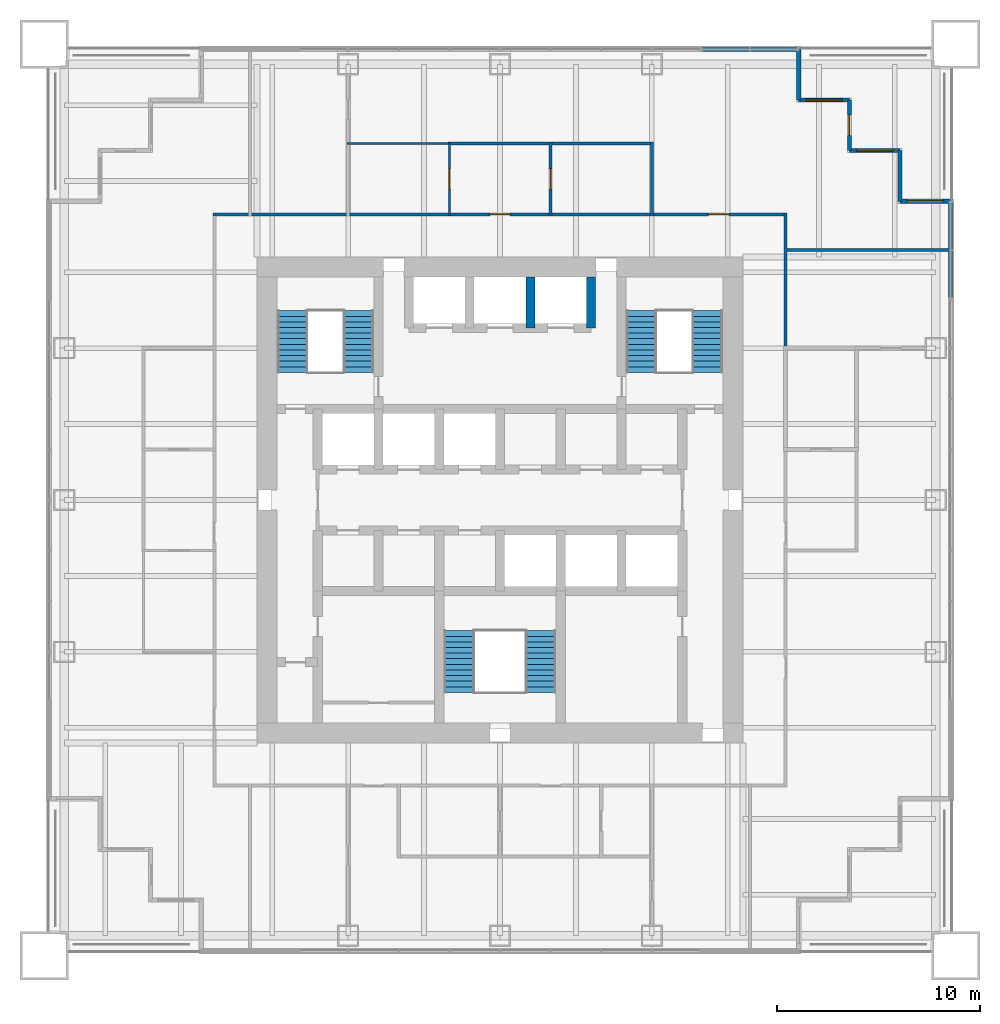
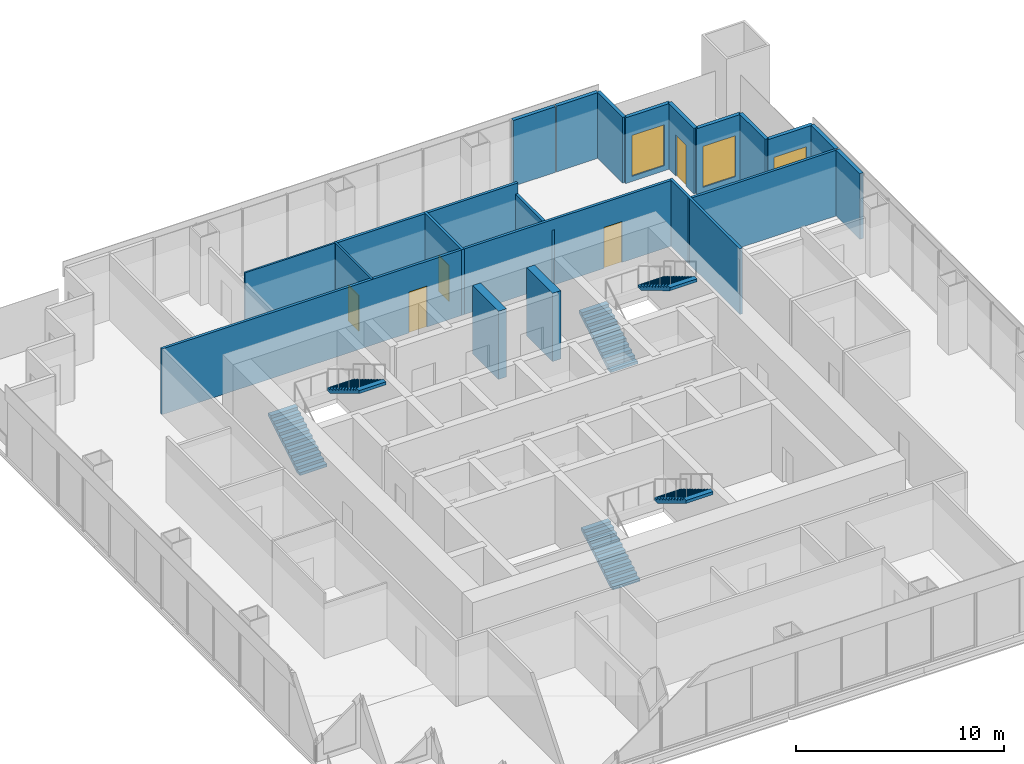
# One storey, part 11 of 13: 20 walls, 6 stair flights, 5 doors, 3 windows, 8 openings, 3 elements without a shape of their own.
"""IFC4 building model written with IfcOpenShell, lengths in metres."""

from ifc_helpers import new_model, si_unit, direction, frame, frame_2d, origin, place, context, subcontext, project, spatial, polyline, rectangle, outline, extrude, material, layer, layer_set, type_object, element, fill, aggregate, save


model = new_model("IFC4")

# Units and contexts
model_context = context("Model", 3, precision=1e-05, world=origin(), true_north=direction((0.0, 1.0)))
body_context = subcontext(model_context, "Body", "Model", "MODEL_VIEW")
ifc_project = project(units=[si_unit("LENGTHUNIT", "METRE"), si_unit("AREAUNIT", "SQUARE_METRE"), si_unit("VOLUMEUNIT", "CUBIC_METRE"), si_unit("PLANEANGLEUNIT", "RADIAN"), si_unit("MASSUNIT", "GRAM", prefix="KILO")], contexts=[model_context])

# Site, building, storey
site_placement = place(None, origin())
site = spatial("IfcSite", under=ifc_project, at=site_placement, CompositionType="ELEMENT")
building_placement = place(site_placement, origin())
building = spatial("IfcBuilding", under=site, at=building_placement, Name="Tarangal Relay Tower", CompositionType="ELEMENT")
storey_placement = place(building_placement, frame((0.0, 0.0, 205.89990234375)))
storey = spatial("IfcBuildingStorey", under=building, at=storey_placement, Name="L43", CompositionType="ELEMENT", Elevation=205.89990234375)

# Walls
ifc_material_1 = material(Name="Concrete fc' 60 MPa", Category="concrete")
ifc_layer_1 = layer(ifc_material_1, 0.449951171875)
ifc_layer_set_1 = layer_set([ifc_layer_1], Name="Core inner wall 450")
wall_type_1 = type_object("IfcWallType", Name="Core inner wall 450", PredefinedType="SHEAR", material=ifc_layer_set_1)
for number, where, z_axis, x_axis, name in (
    (1, (4.5, 8.5, 0.0), (0.0, 0.0, 1.0), (0.0, 1.0, 0.0), "Core wall X45 L43"),
    (2, (1.5, 8.5, 0.0), (0.0, 0.0, 1.0), (0.0, 1.0, 0.0), "Core wall X15 L43"),
):
    element("IfcWall", number, at=place(storey_placement, frame(where, z_axis=z_axis, x_axis=x_axis)), inside=storey, type_object=wall_type_1, Name=name, PredefinedType="SHEAR", context=body_context, shape_type="SweptSolid", body=[
        extrude(rectangle(XDim=2.5, YDim=0.449951171875, at=frame_2d((1.25, 0.0))), origin(), (0.0, 0.0, 1.0), 4.0),
    ])
ifc_material_2 = material(Name="Black metal clad insulated wall", Category="steel")
ifc_layer_2 = layer(ifc_material_2, 0.199951171875)
ifc_layer_set_2 = layer_set([ifc_layer_2], Name="Corner wall metal clad 200")
wall_type_2 = type_object("IfcWallType", Name="Corner wall metal clad 200", PredefinedType="SOLIDWALL", material=ifc_layer_set_2)
wall_1_placement = place(storey_placement, frame((14.75, 22.25, 0.0), z_axis=(0.0, 0.0, 1.0), x_axis=(0.0, -1.0, 0.0)))
element("IfcWall", 3, at=wall_1_placement, inside=storey, type_object=wall_type_2, Name="Facade wall N facade L43", PredefinedType="SOLIDWALL", context=body_context, shape_type="SweptSolid", body=[
    extrude(rectangle(XDim=2.5, YDim=0.199951171875, at=frame_2d((1.25, 0.0))), origin(), (0.0, 0.0, 1.0), 3.85009765625),
])

# Wall, opening, window
wall_2_placement = place(storey_placement, frame((14.75, 19.75, 0.0), z_axis=(0.0, 0.0, 1.0), x_axis=(1.0, 0.0, 0.0)))
wall_2 = element("IfcWall", 4, at=wall_2_placement, inside=storey, type_object=wall_type_2, Name="Facade wall N facade L43", PredefinedType="SOLIDWALL", context=body_context, shape_type="SweptSolid", body=[
    extrude(rectangle(XDim=2.5, YDim=0.199951171875, at=frame_2d((1.25, 0.0))), origin(), (0.0, 0.0, 1.0), 3.85009765625),
])
opening_1_placement = place(wall_2_placement, frame((0.35009765625, 0.0, 0.300048828125)))
opening_1 = element("IfcOpeningElement", 5, at=opening_1_placement, cuts=wall_2, Name="Opening WN2", PredefinedType="OPENING", context=body_context, shape_type="SweptSolid", body=[
    extrude(rectangle(XDim=1.800048828125, YDim=2.39990234375, at=frame_2d((0.89990234375, 1.199951171875))), frame((0.0, 0.10986328125, 0.0), z_axis=(0.0, -1.0, 0.0), x_axis=(1.0, 0.0, 0.0)), (0.0, 0.0, 1.0), 0.219970703125),
])
ifc_material_3 = material(Name="Dark tinted double glazing in black aluminium frame", Category="aluminium")
window_type = type_object("IfcWindowType", Name="Corner window 1800 x 2400", PartitioningType="SINGLE_PANEL", PredefinedType="WINDOW", material=ifc_material_3)
window_1_placement = place(opening_1_placement, origin())
window_1 = element("IfcWindow", 6, at=window_1_placement, inside=storey, type_object=window_type, Name="Corner window WN2 N facade L43", OverallHeight=2.39990234375, OverallWidth=1.800048828125, PartitioningType="SINGLE_PANEL", PredefinedType="WINDOW", context=body_context, shape_type="SweptSolid", body=[
    extrude(rectangle(XDim=1.800048828125, YDim=2.39990234375, at=frame_2d((0.89990234375, 1.199951171875))), frame((0.0, 0.030029296875, 0.0), z_axis=(0.0, -1.0, 0.0), x_axis=(1.0, 0.0, 0.0)), (0.0, 0.0, 1.0), 0.06005859375),
])
fill(opening_1, window_1)

# Wall, opening, door
wall_3_placement = place(storey_placement, frame((17.25, 19.75, 0.0), z_axis=(0.0, 0.0, 1.0), x_axis=(0.0, -1.0, 0.0)))
wall_3 = element("IfcWall", 7, at=wall_3_placement, inside=storey, type_object=wall_type_2, Name="Facade wall N facade L43", PredefinedType="SOLIDWALL", context=body_context, shape_type="SweptSolid", body=[
    extrude(rectangle(XDim=2.5, YDim=0.199951171875, at=frame_2d((1.25, 0.0))), origin(), (0.0, 0.0, 1.0), 3.85009765625),
])
opening_2_placement = place(wall_3_placement, frame((0.75, 0.0, 0.0)))
opening_2 = element("IfcOpeningElement", 8, at=opening_2_placement, cuts=wall_3, Name="Opening TD1", PredefinedType="OPENING", context=body_context, shape_type="SweptSolid", body=[
    extrude(rectangle(XDim=1.0, YDim=2.39990234375, at=frame_2d((0.5, 1.199951171875))), frame((0.0, 0.10986328125, 0.0), z_axis=(0.0, -1.0, 0.0), x_axis=(1.0, 0.0, 0.0)), (0.0, 0.0, 1.0), 0.219970703125),
])
ifc_material_4 = material(Name="Aluminium glazed door", Category="aluminium")
door_type_1 = type_object("IfcDoorType", Name="Terrace door 1000 x 2400", OperationType="SINGLE_SWING_RIGHT", PredefinedType="DOOR", material=ifc_material_4)
door_1_placement = place(opening_2_placement, origin())
door_1 = element("IfcDoor", 9, at=door_1_placement, inside=storey, type_object=door_type_1, Name="Terrace door TD1 NE L43", OperationType="SINGLE_SWING_RIGHT", OverallHeight=2.39990234375, OverallWidth=1.0, PredefinedType="DOOR", context=body_context, shape_type="SweptSolid", body=[
    extrude(rectangle(XDim=1.0, YDim=2.39990234375, at=frame_2d((0.5, 1.199951171875))), frame((0.0, 0.02490234375, 0.0), z_axis=(0.0, -1.0, 0.0), x_axis=(1.0, 0.0, 0.0)), (0.0, 0.0, 1.0), 0.050048828125),
])
fill(opening_2, door_1)

# Wall, opening, window
wall_4_placement = place(storey_placement, frame((17.25, 17.25, 0.0), z_axis=(0.0, 0.0, 1.0), x_axis=(1.0, 0.0, 0.0)))
wall_4 = element("IfcWall", 10, at=wall_4_placement, inside=storey, type_object=wall_type_2, Name="Facade wall N facade L43", PredefinedType="SOLIDWALL", context=body_context, shape_type="SweptSolid", body=[
    extrude(rectangle(XDim=2.5, YDim=0.199951171875, at=frame_2d((1.25, 0.0))), origin(), (0.0, 0.0, 1.0), 3.85009765625),
])
opening_3_placement = place(wall_4_placement, frame((0.35009765625, 0.0, 0.300048828125)))
opening_3 = element("IfcOpeningElement", 11, at=opening_3_placement, cuts=wall_4, Name="Opening WN2", PredefinedType="OPENING", context=body_context, shape_type="SweptSolid", body=[
    extrude(rectangle(XDim=1.800048828125, YDim=2.39990234375, at=frame_2d((0.89990234375, 1.199951171875))), frame((0.0, 0.10986328125, 0.0), z_axis=(0.0, -1.0, 0.0), x_axis=(1.0, 0.0, 0.0)), (0.0, 0.0, 1.0), 0.219970703125),
])
window_2_placement = place(opening_3_placement, origin())
window_2 = element("IfcWindow", 12, at=window_2_placement, inside=storey, type_object=window_type, Name="Corner window WN2 N facade L43", OverallHeight=2.39990234375, OverallWidth=1.800048828125, PartitioningType="SINGLE_PANEL", PredefinedType="WINDOW", context=body_context, shape_type="SweptSolid", body=[
    extrude(rectangle(XDim=1.800048828125, YDim=2.39990234375, at=frame_2d((0.89990234375, 1.199951171875))), frame((0.0, 0.030029296875, 0.0), z_axis=(0.0, -1.0, 0.0), x_axis=(1.0, 0.0, 0.0)), (0.0, 0.0, 1.0), 0.06005859375),
])
fill(opening_3, window_2)

# Wall
wall_5_placement = place(storey_placement, frame((19.75, 17.25, 0.0), z_axis=(0.0, 0.0, 1.0), x_axis=(0.0, -1.0, 0.0)))
element("IfcWall", 13, at=wall_5_placement, inside=storey, type_object=wall_type_2, Name="Facade wall N facade L43", PredefinedType="SOLIDWALL", context=body_context, shape_type="SweptSolid", body=[
    extrude(rectangle(XDim=2.5, YDim=0.199951171875, at=frame_2d((1.25, 0.0))), origin(), (0.0, 0.0, 1.0), 3.85009765625),
])

# Wall, opening, window
wall_6_placement = place(storey_placement, frame((19.75, 14.75, 0.0), z_axis=(0.0, 0.0, 1.0), x_axis=(1.0, 0.0, 0.0)))
wall_6 = element("IfcWall", 14, at=wall_6_placement, inside=storey, type_object=wall_type_2, Name="Facade wall N facade L43", PredefinedType="SOLIDWALL", context=body_context, shape_type="SweptSolid", body=[
    extrude(rectangle(XDim=2.5, YDim=0.199951171875, at=frame_2d((1.25, 0.0))), origin(), (0.0, 0.0, 1.0), 3.85009765625),
])
opening_4_placement = place(wall_6_placement, frame((0.35009765625, 0.0, 0.300048828125)))
opening_4 = element("IfcOpeningElement", 15, at=opening_4_placement, cuts=wall_6, Name="Opening WN2", PredefinedType="OPENING", context=body_context, shape_type="SweptSolid", body=[
    extrude(rectangle(XDim=1.800048828125, YDim=2.39990234375, at=frame_2d((0.89990234375, 1.199951171875))), frame((0.0, 0.10986328125, 0.0), z_axis=(0.0, -1.0, 0.0), x_axis=(1.0, 0.0, 0.0)), (0.0, 0.0, 1.0), 0.219970703125),
])
window_3_placement = place(opening_4_placement, origin())
window_3 = element("IfcWindow", 16, at=window_3_placement, inside=storey, type_object=window_type, Name="Corner window WN2 N facade L43", OverallHeight=2.39990234375, OverallWidth=1.800048828125, PartitioningType="SINGLE_PANEL", PredefinedType="WINDOW", context=body_context, shape_type="SweptSolid", body=[
    extrude(rectangle(XDim=1.800048828125, YDim=2.39990234375, at=frame_2d((0.89990234375, 1.199951171875))), frame((0.0, 0.030029296875, 0.0), z_axis=(0.0, -1.0, 0.0), x_axis=(1.0, 0.0, 0.0)), (0.0, 0.0, 1.0), 0.06005859375),
])
fill(opening_4, window_3)

# Walls
ifc_layer_3 = layer(ifc_material_2, 0.199951171875)
ifc_layer_set_3 = layer_set([ifc_layer_3], Name="Facade infill wall metal clad 200")
wall_type_3 = type_object("IfcWallType", Name="Facade infill wall metal clad 200", PredefinedType="SOLIDWALL", material=ifc_layer_set_3)
for number, where, z_axis, x_axis, name in (
    (17, (9.981689453125, 22.25, 0.0), (0.0, 0.0, 1.0), (1.0, 0.0, 0.0), "Facade infill wall N facade L43 1.1"),
    (18, (12.365966796875, 22.25, 0.0), (0.0, 0.0, 1.0), (1.0, 0.0, 0.0), "Facade infill wall N facade L43 2.1"),
    (19, (22.25, 14.68505859375, 0.0), (0.0, 0.0, 1.0), (0.0, -1.0, 0.0), "Facade infill wall E facade L43 1.1"),
    (20, (22.25, 12.30078125, 0.0), (0.0, 0.0, 1.0), (0.0, -1.0, 0.0), "Facade infill wall E facade L43 2.1"),
):
    element("IfcWall", number, at=place(storey_placement, frame(where, z_axis=z_axis, x_axis=x_axis)), inside=storey, type_object=wall_type_3, Name=name, PredefinedType="SOLIDWALL", context=body_context, shape_type="SweptSolid", body=[
        extrude(rectangle(XDim=2.319091796875, YDim=0.199951171875, at=frame_2d((1.15966796875, 0.0))), origin(), (0.0, 0.0, 1.0), 3.85009765625),
    ])
ifc_material_5 = material(Name="Double glazed aluminium framed partition", Category="aluminium")
ifc_layer_4 = layer(ifc_material_5, 0.10009765625)
ifc_layer_set_4 = layer_set([ifc_layer_4], Name="Glazed partition 100")
wall_type_4 = type_object("IfcWallType", Name="Glazed partition 100", PredefinedType="PARTITIONING", material=ifc_layer_set_4)
wall_7_placement = place(storey_placement, frame((-7.550048828125, 17.60009765625, 0.0), z_axis=(0.0, 0.0, 1.0), x_axis=(1.0, 0.0, 0.0)))
element("IfcWall", 21, at=wall_7_placement, inside=storey, type_object=wall_type_4, Name="Partition PT3 L43", PredefinedType="PARTITIONING", context=body_context, shape_type="SweptSolid", body=[
    extrude(rectangle(XDim=5.10009765625, YDim=0.10009765625, at=frame_2d((2.550048828125, 0.0))), origin(), (0.0, 0.0, 1.0), 3.85009765625),
])

# Wall, opening, door
wall_8_placement = place(storey_placement, frame((-2.5, 14.050048828125, 0.0), z_axis=(0.0, 0.0, 1.0), x_axis=(0.0, 1.0, 0.0)))
wall_8 = element("IfcWall", 22, at=wall_8_placement, inside=storey, type_object=wall_type_4, Name="Partition PT3 L43", PredefinedType="PARTITIONING", context=body_context, shape_type="SweptSolid", body=[
    extrude(rectangle(XDim=3.599853515625, YDim=0.10009765625, at=frame_2d((1.7998046875, 0.0))), origin(), (0.0, 0.0, 1.0), 3.85009765625),
])
opening_5_placement = place(wall_8_placement, frame((1.300048828125, 0.0, 0.0)))
opening_5 = element("IfcOpeningElement", 23, at=opening_5_placement, cuts=wall_8, Name="Opening D3", PredefinedType="OPENING", context=body_context, shape_type="SweptSolid", body=[
    extrude(rectangle(XDim=1.0, YDim=2.10009765625, at=frame_2d((0.5, 1.050048828125))), frame((0.0, 0.06005859375, 0.0), z_axis=(0.0, -1.0, 0.0), x_axis=(1.0, 0.0, 0.0)), (0.0, 0.0, 1.0), 0.1201171875),
])
ifc_material_6 = material(Name="Frameless glass door", Category="glass")
door_type_2 = type_object("IfcDoorType", Name="Glazed door 1000 x 2100", OperationType="SINGLE_SWING_LEFT", PredefinedType="DOOR", material=ifc_material_6)
door_2_placement = place(opening_5_placement, origin())
door_2 = element("IfcDoor", 24, at=door_2_placement, inside=storey, type_object=door_type_2, Name="Door D3 to meeting room L43-03", OperationType="SINGLE_SWING_LEFT", OverallHeight=2.10009765625, OverallWidth=1.0, PredefinedType="DOOR", context=body_context, shape_type="SweptSolid", body=[
    extrude(rectangle(XDim=1.0, YDim=2.10009765625, at=frame_2d((0.5, 1.050048828125))), frame((0.0, 0.02490234375, 0.0), z_axis=(0.0, -1.0, 0.0), x_axis=(1.0, 0.0, 0.0)), (0.0, 0.0, 1.0), 0.050048828125),
])
fill(opening_5, door_2)

# Wall
ifc_material_7 = material(Name="Gypsum board on steel studs", Category="steel")
ifc_layer_5 = layer(ifc_material_7, 0.14990234375)
ifc_layer_set_5 = layer_set([ifc_layer_5], Name="Partition 150")
wall_type_5 = type_object("IfcWallType", Name="Partition 150", PredefinedType="PARTITIONING", material=ifc_layer_set_5)
wall_9_placement = place(storey_placement, frame((14.02490234375, 12.3330078125, 0.0), z_axis=(0.0, 0.0, 1.0), x_axis=(1.0, 0.0, 0.0)))
element("IfcWall", 25, at=wall_9_placement, inside=storey, type_object=wall_type_5, Name="Partition PT1 L43", PredefinedType="PARTITIONING", context=body_context, shape_type="SweptSolid", body=[
    extrude(rectangle(XDim=8.125, YDim=0.14990234375, at=frame_2d((4.0625, 0.0))), origin(), (0.0, 0.0, 1.0), 3.85009765625),
])

# Wall, openings, doors
wall_10_placement = place(storey_placement, frame((-14.175048828125, 14.10009765625, 0.0), z_axis=(0.0, 0.0, 1.0), x_axis=(1.0, 0.0, 0.0)))
wall_10 = element("IfcWall", 26, at=wall_10_placement, inside=storey, type_object=wall_type_5, Name="Partition PT1 L43", PredefinedType="PARTITIONING", context=body_context, shape_type="SweptSolid", body=[
    extrude(rectangle(XDim=28.35009765625, YDim=0.14990234375, at=frame_2d((14.175048828125, 0.0))), origin(), (0.0, 0.0, 1.0), 3.85009765625),
])
opening_6_placement = place(wall_10_placement, frame((13.675048828125, 0.0, 0.0)))
opening_6 = element("IfcOpeningElement", 27, at=opening_6_placement, cuts=wall_10, Name="Opening SD1", PredefinedType="OPENING", context=body_context, shape_type="SweptSolid", body=[
    extrude(rectangle(XDim=1.0, YDim=2.39990234375, at=frame_2d((0.5, 1.199951171875))), frame((0.0, 0.0849609375, 0.0), z_axis=(0.0, -1.0, 0.0), x_axis=(1.0, 0.0, 0.0)), (0.0, 0.0, 1.0), 0.169921875),
])
opening_7_placement = place(wall_10_placement, frame((24.47509765625, 0.0, 0.0)))
opening_7 = element("IfcOpeningElement", 28, at=opening_7_placement, cuts=wall_10, Name="Opening SD1", PredefinedType="OPENING", context=body_context, shape_type="SweptSolid", body=[
    extrude(rectangle(XDim=1.0, YDim=2.39990234375, at=frame_2d((0.5, 1.199951171875))), frame((0.0, 0.0849609375, 0.0), z_axis=(0.0, -1.0, 0.0), x_axis=(1.0, 0.0, 0.0)), (0.0, 0.0, 1.0), 0.169921875),
])
ifc_material_8 = material(Name="Steel door with hardwood frame", Category="steel")
door_type_3 = type_object("IfcDoorType", Name="Suite entrance door 1000 x 2400", OperationType="SINGLE_SWING_RIGHT", PredefinedType="DOOR", material=ifc_material_8)
door_3_placement = place(opening_6_placement, origin())
door_3 = element("IfcDoor", 29, at=door_3_placement, inside=storey, type_object=door_type_3, Name="Door SD1 to reception L43-04", OperationType="SINGLE_SWING_RIGHT", OverallHeight=2.39990234375, OverallWidth=1.0, PredefinedType="DOOR", context=body_context, shape_type="SweptSolid", body=[
    extrude(rectangle(XDim=1.0, YDim=2.39990234375, at=frame_2d((0.5, 1.199951171875))), frame((0.0, 0.02490234375, 0.0), z_axis=(0.0, -1.0, 0.0), x_axis=(1.0, 0.0, 0.0)), (0.0, 0.0, 1.0), 0.050048828125),
])
fill(opening_6, door_3)
door_4_placement = place(opening_7_placement, origin())
door_4 = element("IfcDoor", 30, at=door_4_placement, inside=storey, type_object=door_type_3, Name="Door SD1 to open plan office L43-18", OperationType="SINGLE_SWING_RIGHT", OverallHeight=2.39990234375, OverallWidth=1.0, PredefinedType="DOOR", context=body_context, shape_type="SweptSolid", body=[
    extrude(rectangle(XDim=1.0, YDim=2.39990234375, at=frame_2d((0.5, 1.199951171875))), frame((0.0, 0.02490234375, 0.0), z_axis=(0.0, -1.0, 0.0), x_axis=(1.0, 0.0, 0.0)), (0.0, 0.0, 1.0), 0.050048828125),
])
fill(opening_7, door_4)

# Wall
wall_11_placement = place(storey_placement, frame((-2.574951171875, 17.60009765625, 0.0), z_axis=(0.0, 0.0, 1.0), x_axis=(1.0, 0.0, 0.0)))
element("IfcWall", 31, at=wall_11_placement, inside=storey, type_object=wall_type_5, Name="Partition PT1 L43", PredefinedType="PARTITIONING", context=body_context, shape_type="SweptSolid", body=[
    extrude(rectangle(XDim=10.14990234375, YDim=0.14990234375, at=frame_2d((5.074951171875, 0.0))), origin(), (0.0, 0.0, 1.0), 3.85009765625),
])

# Wall, opening, door
wall_12_placement = place(storey_placement, frame((2.5, 14.02490234375, 0.0), z_axis=(0.0, 0.0, 1.0), x_axis=(0.0, 1.0, 0.0)))
wall_12 = element("IfcWall", 32, at=wall_12_placement, inside=storey, type_object=wall_type_5, Name="Partition PT1 L43", PredefinedType="PARTITIONING", context=body_context, shape_type="SweptSolid", body=[
    extrude(rectangle(XDim=3.650146484375, YDim=0.14990234375, at=frame_2d((1.8251953125, 0.0))), origin(), (0.0, 0.0, 1.0), 3.85009765625),
])
opening_8_placement = place(wall_12_placement, frame((1.324951171875, 0.0, 0.0)))
opening_8 = element("IfcOpeningElement", 33, at=opening_8_placement, cuts=wall_12, Name="Opening D2", PredefinedType="OPENING", context=body_context, shape_type="SweptSolid", body=[
    extrude(rectangle(XDim=1.0, YDim=2.10009765625, at=frame_2d((0.5, 1.050048828125))), frame((0.0, 0.0849609375, 0.0), z_axis=(0.0, -1.0, 0.0), x_axis=(1.0, 0.0, 0.0)), (0.0, 0.0, 1.0), 0.169921875),
])
ifc_material_9 = material(Name="Hardwood door", Category="wood")
door_type_4 = type_object("IfcDoorType", Name="Door 1000 x 2100", OperationType="SINGLE_SWING_LEFT", PredefinedType="DOOR", material=ifc_material_9)
door_5_placement = place(opening_8_placement, origin())
door_5 = element("IfcDoor", 34, at=door_5_placement, inside=storey, type_object=door_type_4, Name="Door D2 to tea pantry L43-05", OperationType="SINGLE_SWING_LEFT", OverallHeight=2.10009765625, OverallWidth=1.0, PredefinedType="DOOR", context=body_context, shape_type="SweptSolid", body=[
    extrude(rectangle(XDim=1.0, YDim=2.10009765625, at=frame_2d((0.5, 1.050048828125))), frame((0.0, 0.02490234375, 0.0), z_axis=(0.0, -1.0, 0.0), x_axis=(1.0, 0.0, 0.0)), (0.0, 0.0, 1.0), 0.050048828125),
])
fill(opening_8, door_5)

# Walls
wall_13_placement = place(storey_placement, frame((7.5, 14.02490234375, 0.0), z_axis=(0.0, 0.0, 1.0), x_axis=(0.0, 1.0, 0.0)))
element("IfcWall", 35, at=wall_13_placement, inside=storey, type_object=wall_type_5, Name="Partition PT1 L43", PredefinedType="PARTITIONING", context=body_context, shape_type="SweptSolid", body=[
    extrude(rectangle(XDim=3.650146484375, YDim=0.14990234375, at=frame_2d((1.8251953125, 0.0))), origin(), (0.0, 0.0, 1.0), 3.238037109375),
])
wall_14_placement = place(storey_placement, frame((14.10009765625, 7.425048828125, 0.0), z_axis=(0.0, 0.0, 1.0), x_axis=(0.0, 1.0, 0.0)))
element("IfcWall", 36, at=wall_14_placement, inside=storey, type_object=wall_type_5, Name="Partition PT1 L43", PredefinedType="PARTITIONING", context=body_context, shape_type="SweptSolid", body=[
    extrude(rectangle(XDim=6.75, YDim=0.14990234375, at=frame_2d((3.375, 0.0))), origin(), (0.0, 0.0, 1.0), 3.85009765625),
])

# Stair, stair flights
ifc_material_10 = material(Name="Steel ASTM A992 stair flight", Category="steel")
stair_type = type_object("IfcStairType", Name="Core stair 1500", PredefinedType="HALF_TURN_STAIR", material=ifc_material_10)
stair_1_placement = place(storey_placement, origin())
stair_1 = element("IfcStair", 37, at=stair_1_placement, inside=storey, type_object=stair_type, Name="Stair ST-A L43", PredefinedType="HALF_TURN_STAIR")
stair_flight_type = type_object("IfcStairFlightType", Name="Steel stair flight 1500, 12 risers 167 x 277", PredefinedType="STRAIGHT", material=ifc_material_10)
stair_flight_1_placement = place(storey_placement, frame((-10.25, 6.300048828125, 0.0), z_axis=(0.0, 0.0, 1.0), x_axis=(0.0, 1.0, 0.0)))
stair_flight_1 = element("IfcStairFlight", 38, at=stair_flight_1_placement, type_object=stair_flight_type, Name="ST-A flight 1", NumberOfRisers=12, NumberOfTreads=11, PredefinedType="STRAIGHT", RiserHeight=0.166666667, TreadLength=0.277, context=body_context, shape_type="SweptSolid", body=[
    extrude(outline(polyline([(0.0, 0.0), (0.0, 0.166748046875), (0.277099609375, 0.166748046875), (0.277099609375, 0.333251953125), (0.553955078125, 0.333251953125), (0.553955078125, 0.5), (0.8310546875, 0.5), (0.8310546875, 0.666748046875), (1.10791015625, 0.666748046875), (1.10791015625, 0.833251953125), (1.385009765625, 0.833251953125), (1.385009765625, 1.0), (1.662109375, 1.0), (1.662109375, 1.166748046875), (1.93896484375, 1.166748046875), (1.93896484375, 1.333251953125), (2.216064453125, 1.333251953125), (2.216064453125, 1.5), (2.492919921875, 1.5), (2.492919921875, 1.666748046875), (2.77001953125, 1.666748046875), (2.77001953125, 1.833251953125), (3.047119140625, 1.833251953125), (3.047119140625, 2.0), (3.047119140625, 1.658447265625), (0.290771484375, 0.0), (0.0, 0.0)])), frame((0.0, 0.75, 0.0), z_axis=(0.0, -1.0, 0.0), x_axis=(1.0, 0.0, 0.0)), (0.0, 0.0, 1.0), 1.5),
])
stair_flight_2_placement = place(storey_placement, frame((-6.97509765625, 9.346923828125, 2.0), z_axis=(0.0, 0.0, 1.0), x_axis=(0.0, -1.0, 0.0)))
stair_flight_2 = element("IfcStairFlight", 39, at=stair_flight_2_placement, type_object=stair_flight_type, Name="ST-A flight 2", NumberOfRisers=12, NumberOfTreads=11, PredefinedType="STRAIGHT", RiserHeight=0.166666667, TreadLength=0.277, context=body_context, shape_type="SweptSolid", body=[
    extrude(outline(polyline([(0.0, 0.0), (0.0, 0.166748046875), (0.277099609375, 0.166748046875), (0.277099609375, 0.333251953125), (0.553955078125, 0.333251953125), (0.553955078125, 0.5), (0.8310546875, 0.5), (0.8310546875, 0.666748046875), (1.10791015625, 0.666748046875), (1.10791015625, 0.833251953125), (1.385009765625, 0.833251953125), (1.385009765625, 1.0), (1.662109375, 1.0), (1.662109375, 1.166748046875), (1.93896484375, 1.166748046875), (1.93896484375, 1.333251953125), (2.216064453125, 1.333251953125), (2.216064453125, 1.5), (2.492919921875, 1.5), (2.492919921875, 1.666748046875), (2.77001953125, 1.666748046875), (2.77001953125, 1.833251953125), (3.047119140625, 1.833251953125), (3.047119140625, 2.0), (3.047119140625, 1.658447265625), (0.290771484375, 0.0), (0.0, 0.0)])), frame((0.0, 0.75, 0.0), z_axis=(0.0, -1.0, 0.0), x_axis=(1.0, 0.0, 0.0)), (0.0, 0.0, 1.0), 1.5),
])
aggregate(stair_1, [stair_flight_1, stair_flight_2])

stair_2_placement = place(storey_placement, origin())
stair_2 = element("IfcStair", 40, at=stair_2_placement, inside=storey, type_object=stair_type, Name="Stair ST-B L43", PredefinedType="HALF_TURN_STAIR")
stair_flight_3_placement = place(storey_placement, frame((6.97509765625, 6.300048828125, 0.0), z_axis=(0.0, 0.0, 1.0), x_axis=(0.0, 1.0, 0.0)))
stair_flight_3 = element("IfcStairFlight", 41, at=stair_flight_3_placement, type_object=stair_flight_type, Name="ST-B flight 1", NumberOfRisers=12, NumberOfTreads=11, PredefinedType="STRAIGHT", RiserHeight=0.166666667, TreadLength=0.277, context=body_context, shape_type="SweptSolid", body=[
    extrude(outline(polyline([(0.0, 0.0), (0.0, 0.166748046875), (0.277099609375, 0.166748046875), (0.277099609375, 0.333251953125), (0.553955078125, 0.333251953125), (0.553955078125, 0.5), (0.8310546875, 0.5), (0.8310546875, 0.666748046875), (1.10791015625, 0.666748046875), (1.10791015625, 0.833251953125), (1.385009765625, 0.833251953125), (1.385009765625, 1.0), (1.662109375, 1.0), (1.662109375, 1.166748046875), (1.93896484375, 1.166748046875), (1.93896484375, 1.333251953125), (2.216064453125, 1.333251953125), (2.216064453125, 1.5), (2.492919921875, 1.5), (2.492919921875, 1.666748046875), (2.77001953125, 1.666748046875), (2.77001953125, 1.833251953125), (3.047119140625, 1.833251953125), (3.047119140625, 2.0), (3.047119140625, 1.658447265625), (0.290771484375, 0.0), (0.0, 0.0)])), frame((0.0, 0.75, 0.0), z_axis=(0.0, -1.0, 0.0), x_axis=(1.0, 0.0, 0.0)), (0.0, 0.0, 1.0), 1.5),
])
stair_flight_4_placement = place(storey_placement, frame((10.25, 9.346923828125, 2.0), z_axis=(0.0, 0.0, 1.0), x_axis=(0.0, -1.0, 0.0)))
stair_flight_4 = element("IfcStairFlight", 42, at=stair_flight_4_placement, type_object=stair_flight_type, Name="ST-B flight 2", NumberOfRisers=12, NumberOfTreads=11, PredefinedType="STRAIGHT", RiserHeight=0.166666667, TreadLength=0.277, context=body_context, shape_type="SweptSolid", body=[
    extrude(outline(polyline([(0.0, 0.0), (0.0, 0.166748046875), (0.277099609375, 0.166748046875), (0.277099609375, 0.333251953125), (0.553955078125, 0.333251953125), (0.553955078125, 0.5), (0.8310546875, 0.5), (0.8310546875, 0.666748046875), (1.10791015625, 0.666748046875), (1.10791015625, 0.833251953125), (1.385009765625, 0.833251953125), (1.385009765625, 1.0), (1.662109375, 1.0), (1.662109375, 1.166748046875), (1.93896484375, 1.166748046875), (1.93896484375, 1.333251953125), (2.216064453125, 1.333251953125), (2.216064453125, 1.5), (2.492919921875, 1.5), (2.492919921875, 1.666748046875), (2.77001953125, 1.666748046875), (2.77001953125, 1.833251953125), (3.047119140625, 1.833251953125), (3.047119140625, 2.0), (3.047119140625, 1.658447265625), (0.290771484375, 0.0), (0.0, 0.0)])), frame((0.0, 0.75, 0.0), z_axis=(0.0, -1.0, 0.0), x_axis=(1.0, 0.0, 0.0)), (0.0, 0.0, 1.0), 1.5),
])
aggregate(stair_2, [stair_flight_3, stair_flight_4])

stair_3_placement = place(storey_placement, origin())
stair_3 = element("IfcStair", 43, at=stair_3_placement, inside=storey, type_object=stair_type, Name="Stair ST-C L43", PredefinedType="HALF_TURN_STAIR")
stair_flight_5_placement = place(storey_placement, frame((-2.02490234375, -9.5, 0.0), z_axis=(0.0, 0.0, 1.0), x_axis=(0.0, 1.0, 0.0)))
stair_flight_5 = element("IfcStairFlight", 44, at=stair_flight_5_placement, type_object=stair_flight_type, Name="ST-C flight 1", NumberOfRisers=12, NumberOfTreads=11, PredefinedType="STRAIGHT", RiserHeight=0.166666667, TreadLength=0.277, context=body_context, shape_type="SweptSolid", body=[
    extrude(outline(polyline([(0.0, 0.0), (0.0, 0.166748046875), (0.277099609375, 0.166748046875), (0.277099609375, 0.333251953125), (0.553955078125, 0.333251953125), (0.553955078125, 0.5), (0.8310546875, 0.5), (0.8310546875, 0.666748046875), (1.10791015625, 0.666748046875), (1.10791015625, 0.833251953125), (1.385009765625, 0.833251953125), (1.385009765625, 1.0), (1.662109375, 1.0), (1.662109375, 1.166748046875), (1.93896484375, 1.166748046875), (1.93896484375, 1.333251953125), (2.216064453125, 1.333251953125), (2.216064453125, 1.5), (2.492919921875, 1.5), (2.492919921875, 1.666748046875), (2.77001953125, 1.666748046875), (2.77001953125, 1.833251953125), (3.047119140625, 1.833251953125), (3.047119140625, 2.0), (3.047119140625, 1.658447265625), (0.290771484375, 0.0), (0.0, 0.0)])), frame((0.0, 0.75, 0.0), z_axis=(0.0, -1.0, 0.0), x_axis=(1.0, 0.0, 0.0)), (0.0, 0.0, 1.0), 1.5),
])
stair_flight_6_placement = place(storey_placement, frame((2.02490234375, -6.452880859375, 2.0), z_axis=(0.0, 0.0, 1.0), x_axis=(0.0, -1.0, 0.0)))
stair_flight_6 = element("IfcStairFlight", 45, at=stair_flight_6_placement, type_object=stair_flight_type, Name="ST-C flight 2", NumberOfRisers=12, NumberOfTreads=11, PredefinedType="STRAIGHT", RiserHeight=0.166666667, TreadLength=0.277, context=body_context, shape_type="SweptSolid", body=[
    extrude(outline(polyline([(0.0, 0.0), (0.0, 0.166748046875), (0.277099609375, 0.166748046875), (0.277099609375, 0.333251953125), (0.553955078125, 0.333251953125), (0.553955078125, 0.5), (0.8310546875, 0.5), (0.8310546875, 0.666748046875), (1.10791015625, 0.666748046875), (1.10791015625, 0.833251953125), (1.385009765625, 0.833251953125), (1.385009765625, 1.0), (1.662109375, 1.0), (1.662109375, 1.166748046875), (1.93896484375, 1.166748046875), (1.93896484375, 1.333251953125), (2.216064453125, 1.333251953125), (2.216064453125, 1.5), (2.492919921875, 1.5), (2.492919921875, 1.666748046875), (2.77001953125, 1.666748046875), (2.77001953125, 1.833251953125), (3.047119140625, 1.833251953125), (3.047119140625, 2.0), (3.047119140625, 1.658447265625), (0.290771484375, 0.0), (0.0, 0.0)])), frame((0.0, 0.75, 0.0), z_axis=(0.0, -1.0, 0.0), x_axis=(1.0, 0.0, 0.0)), (0.0, 0.0, 1.0), 1.5),
])
aggregate(stair_3, [stair_flight_5, stair_flight_6])

save(model, "model.ifc")
